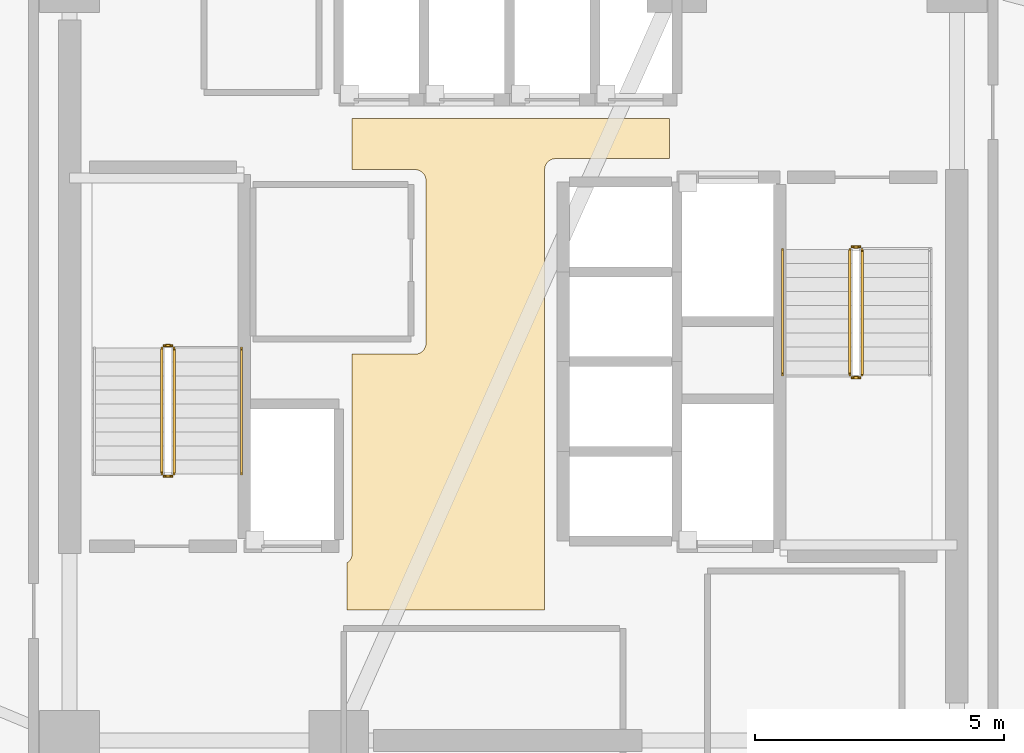
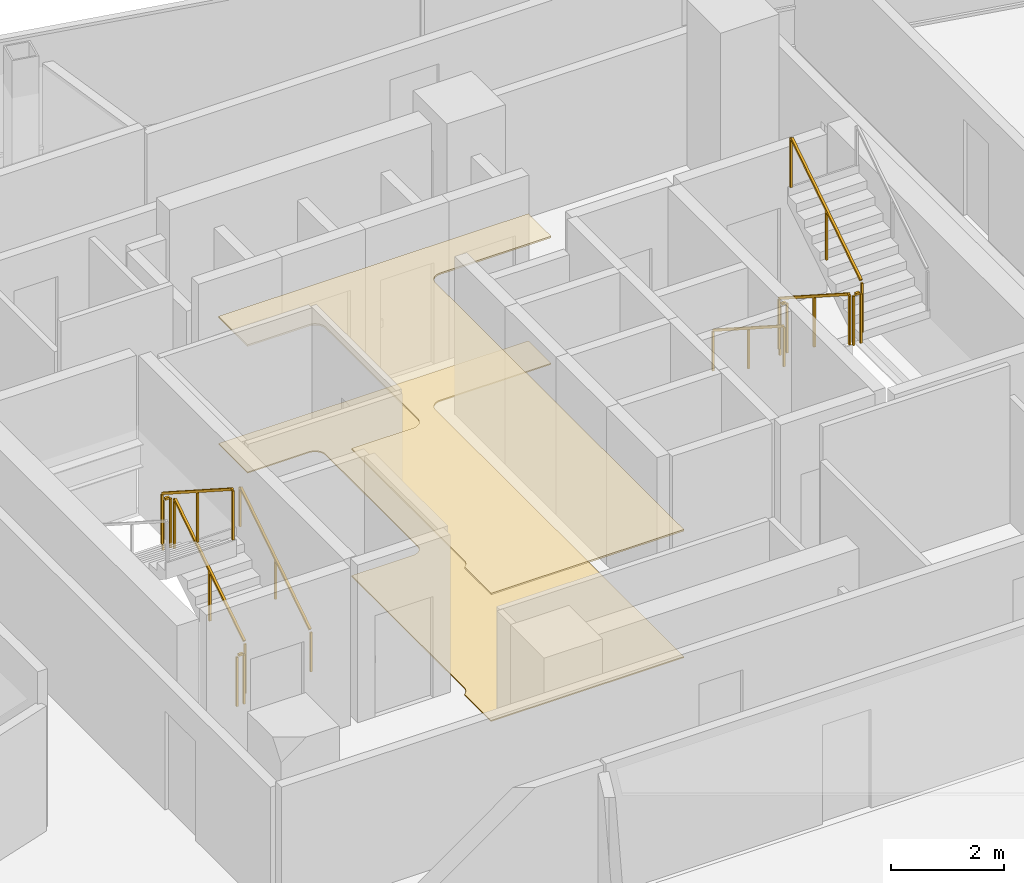
# One storey, part 16 of 17: 10 railings, 2 coverings.
"""IFC4 building model written with IfcOpenShell, lengths in metres."""

from ifc_helpers import new_model, si_unit, direction, frame, origin, origin_2d, place, context, subcontext, project, spatial, polyline, rectangle, outline, extrude, material, layer, layer_set, type_object, element, save


model = new_model("IFC4")

# Units and contexts
model_context = context("Model", 3, precision=1e-05, world=origin(), true_north=direction((0.0, 1.0)))
body_context = subcontext(model_context, "Body", "Model", "MODEL_VIEW")
ifc_project = project(units=[si_unit("LENGTHUNIT", "METRE"), si_unit("AREAUNIT", "SQUARE_METRE"), si_unit("VOLUMEUNIT", "CUBIC_METRE"), si_unit("PLANEANGLEUNIT", "RADIAN"), si_unit("MASSUNIT", "GRAM", prefix="KILO")], contexts=[model_context])

# Site, building, storey
site_placement = place(None, origin())
site = spatial("IfcSite", under=ifc_project, at=site_placement, CompositionType="ELEMENT")
building_placement = place(site_placement, origin())
building = spatial("IfcBuilding", under=site, at=building_placement, Name="Tharavind Bronze Gate", CompositionType="ELEMENT")
storey_placement = place(building_placement, frame((0.0, 0.0, 200.449951171875)))
storey = spatial("IfcBuildingStorey", under=building, at=storey_placement, Name="L51", CompositionType="ELEMENT", Elevation=200.449951171875)

# Coverings
ifc_material_1 = material(Name="Perforated Bronze Acoustic Panel", Category="bronze")
ifc_layer_1 = layer(ifc_material_1, 0.044921875)
ifc_layer_set_1 = layer_set([ifc_layer_1], Name="Perforated Bronze Acoustic Panel")
covering_type_1 = type_object("IfcCoveringType", Name="ACOUSTIC BRONZE BAFFLE CEILING", PredefinedType="CEILING", material=ifc_layer_set_1)
covering_1_placement = place(storey_placement, frame((0.0, 0.0, 2.75)))
element("IfcCovering", 1, at=covering_1_placement, inside=storey, type_object=covering_type_1, Name="L51-C-LL suspended ceiling", PredefinedType="CEILING", context=body_context, shape_type="SweptSolid", body=[
    extrude(outline(polyline([(-3.330078125, -4.97998046875), (0.6298828125, -4.97998046875), (0.6298828125, 3.85009765625), (0.631103515625, 3.87158203125), (0.63427734375, 3.892822265625), (0.639404296875, 3.913818359375), (0.646728515625, 3.93408203125), (0.656005859375, 3.95361328125), (0.6669921875, 3.97216796875), (0.679931640625, 3.989501953125), (0.6943359375, 4.005615234375), (0.71044921875, 4.02001953125), (0.727783203125, 4.032958984375), (0.746337890625, 4.0439453125), (0.765869140625, 4.05322265625), (0.7861328125, 4.060546875), (0.80712890625, 4.06591796875), (0.828369140625, 4.06884765625), (0.85009765625, 4.070068359375), (3.1298828125, 4.070068359375), (3.1298828125, 4.8798828125), (-3.22998046875, 4.8798828125), (-3.22998046875, 3.85009765625), (-1.969970703125, 3.85009765625), (-1.948486328125, 3.848876953125), (-1.927001953125, 3.845703125), (-1.906005859375, 3.840576171875), (-1.8857421875, 3.833251953125), (-1.8662109375, 3.823974609375), (-1.847900390625, 3.81298828125), (-1.830322265625, 3.800048828125), (-1.814453125, 3.78564453125), (-1.7998046875, 3.76953125), (-1.787109375, 3.752197265625), (-1.77587890625, 3.733642578125), (-1.7666015625, 3.714111328125), (-1.759521484375, 3.69384765625), (-1.754150390625, 3.6728515625), (-1.751220703125, 3.651611328125), (-1.75, 3.6298828125), (-1.75, 0.3701171875), (-1.751220703125, 0.348388671875), (-1.754150390625, 0.3271484375), (-1.759521484375, 0.30615234375), (-1.7666015625, 0.285888671875), (-1.77587890625, 0.266357421875), (-1.787109375, 0.247802734375), (-1.7998046875, 0.23046875), (-1.814453125, 0.21435546875), (-1.830322265625, 0.199951171875), (-1.847900390625, 0.18701171875), (-1.8662109375, 0.176025390625), (-1.8857421875, 0.166748046875), (-1.906005859375, 0.159423828125), (-1.927001953125, 0.154296875), (-1.948486328125, 0.151123046875), (-1.969970703125, 0.14990234375), (-3.22998046875, 0.14990234375), (-3.22998046875, -3.85009765625), (-3.231201171875, -3.87158203125), (-3.234130859375, -3.892822265625), (-3.239501953125, -3.913818359375), (-3.24658203125, -3.93408203125), (-3.256103515625, -3.95361328125), (-3.26708984375, -3.97216796875), (-3.27978515625, -3.989501953125), (-3.29443359375, -4.005615234375), (-3.310302734375, -4.02001953125), (-3.327880859375, -4.032958984375), (-3.330078125, -4.0341796875), (-3.330078125, -4.97998046875)])), origin(), (0.0, 0.0, 1.0), 0.03515625),
])
ifc_material_2 = material(Name="Honed Travertine Limestone", Category="masonry")
ifc_layer_2 = layer(ifc_material_2, 0.030029296875)
ifc_layer_set_2 = layer_set([ifc_layer_2], Name="Honed Travertine Limestone")
covering_type_2 = type_object("IfcCoveringType", Name="HONED LIMESTONE FLOORING", PredefinedType="FLOORING", material=ifc_layer_set_2)
covering_2_placement = place(storey_placement, origin())
element("IfcCovering", 2, at=covering_2_placement, inside=storey, type_object=covering_type_2, Name="L51-C-LL floor finish", PredefinedType="FLOORING", context=body_context, shape_type="SweptSolid", body=[
    extrude(outline(polyline([(-3.330078125, -4.97998046875), (0.6298828125, -4.97998046875), (0.6298828125, 3.85009765625), (0.631103515625, 3.87158203125), (0.63427734375, 3.892822265625), (0.639404296875, 3.913818359375), (0.646728515625, 3.93408203125), (0.656005859375, 3.95361328125), (0.6669921875, 3.97216796875), (0.679931640625, 3.989501953125), (0.6943359375, 4.005615234375), (0.71044921875, 4.02001953125), (0.727783203125, 4.032958984375), (0.746337890625, 4.0439453125), (0.765869140625, 4.05322265625), (0.7861328125, 4.060546875), (0.80712890625, 4.06591796875), (0.828369140625, 4.06884765625), (0.85009765625, 4.070068359375), (3.1298828125, 4.070068359375), (3.1298828125, 4.8798828125), (-3.22998046875, 4.8798828125), (-3.22998046875, 3.85009765625), (-1.969970703125, 3.85009765625), (-1.948486328125, 3.848876953125), (-1.927001953125, 3.845703125), (-1.906005859375, 3.840576171875), (-1.8857421875, 3.833251953125), (-1.8662109375, 3.823974609375), (-1.847900390625, 3.81298828125), (-1.830322265625, 3.800048828125), (-1.814453125, 3.78564453125), (-1.7998046875, 3.76953125), (-1.787109375, 3.752197265625), (-1.77587890625, 3.733642578125), (-1.7666015625, 3.714111328125), (-1.759521484375, 3.69384765625), (-1.754150390625, 3.6728515625), (-1.751220703125, 3.651611328125), (-1.75, 3.6298828125), (-1.75, 0.3701171875), (-1.751220703125, 0.348388671875), (-1.754150390625, 0.3271484375), (-1.759521484375, 0.30615234375), (-1.7666015625, 0.285888671875), (-1.77587890625, 0.266357421875), (-1.787109375, 0.247802734375), (-1.7998046875, 0.23046875), (-1.814453125, 0.21435546875), (-1.830322265625, 0.199951171875), (-1.847900390625, 0.18701171875), (-1.8662109375, 0.176025390625), (-1.8857421875, 0.166748046875), (-1.906005859375, 0.159423828125), (-1.927001953125, 0.154296875), (-1.948486328125, 0.151123046875), (-1.969970703125, 0.14990234375), (-3.22998046875, 0.14990234375), (-3.22998046875, -3.85009765625), (-3.231201171875, -3.87158203125), (-3.234130859375, -3.892822265625), (-3.239501953125, -3.913818359375), (-3.24658203125, -3.93408203125), (-3.256103515625, -3.95361328125), (-3.26708984375, -3.97216796875), (-3.27978515625, -3.989501953125), (-3.29443359375, -4.005615234375), (-3.310302734375, -4.02001953125), (-3.327880859375, -4.032958984375), (-3.330078125, -4.0341796875), (-3.330078125, -4.97998046875)])), origin(), (0.0, 0.0, 1.0), 0.025146484375),
])

# Railings
ifc_material_3 = material(Name="Brushed Bronze Alloy", Category="metal")
railing_type_1 = type_object("IfcRailingType", Name="STAIR BRONZE HANDRAIL 900", PredefinedType="HANDRAIL", material=ifc_material_3)
railing_1_placement = place(storey_placement, frame((-5.449951171875, -2.25, 0.179931640625)))
element("IfcRailing", 3, at=railing_1_placement, inside=storey, type_object=railing_type_1, Name="L51 ST1 stair handrail 1", PredefinedType="HANDRAIL", context=body_context, shape_type="SweptSolid", body=[
    extrude(rectangle(XDim=0.048095703125, YDim=0.048095703125, at=origin_2d()), frame((0.0, 0.02685546875, 0.89306640625), z_axis=(0.0, 0.841162588446, 0.540782303519), x_axis=(-1.0, 0.0, 0.0)), (0.0, 0.0, 1.0), 2.931884765625),
    extrude(rectangle(XDim=0.0400390625, YDim=0.0400390625, at=origin_2d()), origin(), (0.0, 0.0, 1.0), 0.847900390625),
    extrude(rectangle(XDim=0.0400390625, YDim=0.0400390625, at=origin_2d()), frame((0.0, 1.260009765625, 0.81005859375)), (0.0, 0.0, 1.0), 0.847900390625),
    extrude(rectangle(XDim=0.0400390625, YDim=0.0400390625, at=origin_2d()), frame((0.0, 2.52001953125, 1.6201171875)), (0.0, 0.0, 1.0), 0.847900390625),
])
railing_2_placement = place(storey_placement, frame((5.39990234375, 2.25, 0.179931640625)))
element("IfcRailing", 4, at=railing_2_placement, inside=storey, type_object=railing_type_1, Name="L51 ST2 stair handrail 1", PredefinedType="HANDRAIL", context=body_context, shape_type="SweptSolid", body=[
    extrude(rectangle(XDim=0.048095703125, YDim=0.048095703125, at=origin_2d()), frame((0.0, -0.02685546875, 0.89306640625), z_axis=(0.0, -0.841162588446, 0.540782303519), x_axis=(1.0, 0.0, 0.0)), (0.0, 0.0, 1.0), 2.931884765625),
    extrude(rectangle(XDim=0.0400390625, YDim=0.0400390625, at=origin_2d()), origin(), (0.0, 0.0, 1.0), 0.847900390625),
    extrude(rectangle(XDim=0.0400390625, YDim=0.0400390625, at=origin_2d()), frame((0.0, -1.260009765625, 0.81005859375)), (0.0, 0.0, 1.0), 0.847900390625),
    extrude(rectangle(XDim=0.0400390625, YDim=0.0400390625, at=origin_2d()), frame((0.0, -2.52001953125, 1.6201171875)), (0.0, 0.0, 1.0), 0.847900390625),
])
railing_type_2 = type_object("IfcRailingType", Name="STAIR WELL GUARD RAILING 1120", PredefinedType="GUARDRAIL", material=ifc_material_3)
railing_3_placement = place(storey_placement, frame((-6.800048828125, -2.25, 0.179931640625)))
element("IfcRailing", 5, at=railing_3_placement, inside=storey, type_object=railing_type_2, Name="L51 ST1 stair guard 1", PredefinedType="GUARDRAIL", context=body_context, shape_type="SweptSolid", body=[
    extrude(rectangle(XDim=0.048095703125, YDim=0.048095703125, at=origin_2d()), frame((0.0, 0.02685546875, 1.11328125), z_axis=(0.0, 0.841162588446, 0.540782303519), x_axis=(-1.0, 0.0, 0.0)), (0.0, 0.0, 1.0), 2.931884765625),
    extrude(rectangle(XDim=0.0400390625, YDim=0.0400390625, at=origin_2d()), origin(), (0.0, 0.0, 1.0), 1.068115234375),
    extrude(rectangle(XDim=0.0400390625, YDim=0.0400390625, at=origin_2d()), frame((0.0, 1.260009765625, 0.81005859375)), (0.0, 0.0, 1.0), 1.068115234375),
    extrude(rectangle(XDim=0.0400390625, YDim=0.0400390625, at=origin_2d()), frame((0.0, 2.52001953125, 1.6201171875)), (0.0, 0.0, 1.0), 1.068115234375),
])
railing_4_placement = place(storey_placement, frame((-6.85009765625, 0.320068359375, 1.800048828125)))
element("IfcRailing", 6, at=railing_4_placement, inside=storey, type_object=railing_type_2, Name="L51 ST1 stair guard 2", PredefinedType="GUARDRAIL", context=body_context, shape_type="SweptSolid", body=[
    extrude(rectangle(XDim=0.048095703125, YDim=0.048095703125, at=origin_2d()), frame((-0.031982421875, 0.0, 1.09619140625), z_axis=(-1.0, 0.0, 0.0), x_axis=(0.0, -1.0, 0.0)), (0.0, 0.0, 1.0), 0.0859375),
    extrude(rectangle(XDim=0.0400390625, YDim=0.0400390625, at=origin_2d()), origin(), (0.0, 0.0, 1.0), 1.068115234375),
    extrude(rectangle(XDim=0.0400390625, YDim=0.0400390625, at=origin_2d()), frame((-0.14990234375, 0.0, 0.0)), (0.0, 0.0, 1.0), 1.068115234375),
])
railing_5_placement = place(storey_placement, frame((-7.050048828125, 0.27001953125, 1.97998046875)))
element("IfcRailing", 7, at=railing_5_placement, inside=storey, type_object=railing_type_2, Name="L51 ST1 stair guard 3", PredefinedType="GUARDRAIL", context=body_context, shape_type="SweptSolid", body=[
    extrude(rectangle(XDim=0.048095703125, YDim=0.048095703125, at=origin_2d()), frame((0.0, -0.02685546875, 1.11328125), z_axis=(0.0, -0.841162588446, 0.540782303519), x_axis=(1.0, 0.0, 0.0)), (0.0, 0.0, 1.0), 2.931884765625),
    extrude(rectangle(XDim=0.0400390625, YDim=0.0400390625, at=origin_2d()), origin(), (0.0, 0.0, 1.0), 1.068115234375),
    extrude(rectangle(XDim=0.0400390625, YDim=0.0400390625, at=origin_2d()), frame((0.0, -1.260009765625, 0.81005859375)), (0.0, 0.0, 1.0), 1.068115234375),
    extrude(rectangle(XDim=0.0400390625, YDim=0.0400390625, at=origin_2d()), frame((0.0, -2.52001953125, 1.6201171875)), (0.0, 0.0, 1.0), 1.068115234375),
])
railing_6_placement = place(storey_placement, frame((-6.85009765625, -2.300048828125, 0.0)))
element("IfcRailing", 8, at=railing_6_placement, inside=storey, type_object=railing_type_2, Name="L51 ST1 stair guard 4", PredefinedType="GUARDRAIL", context=body_context, shape_type="SweptSolid", body=[
    extrude(rectangle(XDim=0.048095703125, YDim=0.048095703125, at=origin_2d()), frame((-0.031982421875, 0.0, 1.09619140625), z_axis=(-1.0, 0.0, 0.0), x_axis=(0.0, -1.0, 0.0)), (0.0, 0.0, 1.0), 0.0859375),
    extrude(rectangle(XDim=0.0400390625, YDim=0.0400390625, at=origin_2d()), origin(), (0.0, 0.0, 1.0), 1.068115234375),
    extrude(rectangle(XDim=0.0400390625, YDim=0.0400390625, at=origin_2d()), frame((-0.14990234375, 0.0, 0.0)), (0.0, 0.0, 1.0), 1.068115234375),
])
railing_7_placement = place(storey_placement, frame((6.75, 2.25, 0.179931640625)))
element("IfcRailing", 9, at=railing_7_placement, inside=storey, type_object=railing_type_2, Name="L51 ST2 stair guard 1", PredefinedType="GUARDRAIL", context=body_context, shape_type="SweptSolid", body=[
    extrude(rectangle(XDim=0.048095703125, YDim=0.048095703125, at=origin_2d()), frame((0.0, -0.02685546875, 1.11328125), z_axis=(0.0, -0.841162588446, 0.540782303519), x_axis=(1.0, 0.0, 0.0)), (0.0, 0.0, 1.0), 2.931884765625),
    extrude(rectangle(XDim=0.0400390625, YDim=0.0400390625, at=origin_2d()), origin(), (0.0, 0.0, 1.0), 1.068115234375),
    extrude(rectangle(XDim=0.0400390625, YDim=0.0400390625, at=origin_2d()), frame((0.0, -1.260009765625, 0.81005859375)), (0.0, 0.0, 1.0), 1.068115234375),
    extrude(rectangle(XDim=0.0400390625, YDim=0.0400390625, at=origin_2d()), frame((0.0, -2.52001953125, 1.6201171875)), (0.0, 0.0, 1.0), 1.068115234375),
])
railing_8_placement = place(storey_placement, frame((6.800048828125, -0.320068359375, 1.800048828125)))
element("IfcRailing", 10, at=railing_8_placement, inside=storey, type_object=railing_type_2, Name="L51 ST2 stair guard 2", PredefinedType="GUARDRAIL", context=body_context, shape_type="SweptSolid", body=[
    extrude(rectangle(XDim=0.048095703125, YDim=0.048095703125, at=origin_2d()), frame((0.031982421875, 0.0, 1.09619140625), z_axis=(1.0, 0.0, 0.0), x_axis=(0.0, 1.0, 0.0)), (0.0, 0.0, 1.0), 0.0859375),
    extrude(rectangle(XDim=0.0400390625, YDim=0.0400390625, at=origin_2d()), origin(), (0.0, 0.0, 1.0), 1.068115234375),
    extrude(rectangle(XDim=0.0400390625, YDim=0.0400390625, at=origin_2d()), frame((0.14990234375, 0.0, 0.0)), (0.0, 0.0, 1.0), 1.068115234375),
])
railing_9_placement = place(storey_placement, frame((7.0, -0.27001953125, 1.97998046875)))
element("IfcRailing", 11, at=railing_9_placement, inside=storey, type_object=railing_type_2, Name="L51 ST2 stair guard 3", PredefinedType="GUARDRAIL", context=body_context, shape_type="SweptSolid", body=[
    extrude(rectangle(XDim=0.048095703125, YDim=0.048095703125, at=origin_2d()), frame((0.0, 0.02685546875, 1.11328125), z_axis=(0.0, 0.841162588446, 0.540782303519), x_axis=(-1.0, 0.0, 0.0)), (0.0, 0.0, 1.0), 2.931884765625),
    extrude(rectangle(XDim=0.0400390625, YDim=0.0400390625, at=origin_2d()), origin(), (0.0, 0.0, 1.0), 1.068115234375),
    extrude(rectangle(XDim=0.0400390625, YDim=0.0400390625, at=origin_2d()), frame((0.0, 1.260009765625, 0.81005859375)), (0.0, 0.0, 1.0), 1.068115234375),
    extrude(rectangle(XDim=0.0400390625, YDim=0.0400390625, at=origin_2d()), frame((0.0, 2.52001953125, 1.6201171875)), (0.0, 0.0, 1.0), 1.068115234375),
])
railing_10_placement = place(storey_placement, frame((6.800048828125, 2.300048828125, 0.0)))
element("IfcRailing", 12, at=railing_10_placement, inside=storey, type_object=railing_type_2, Name="L51 ST2 stair guard 4", PredefinedType="GUARDRAIL", context=body_context, shape_type="SweptSolid", body=[
    extrude(rectangle(XDim=0.048095703125, YDim=0.048095703125, at=origin_2d()), frame((0.031982421875, 0.0, 1.09619140625), z_axis=(1.0, 0.0, 0.0), x_axis=(0.0, 1.0, 0.0)), (0.0, 0.0, 1.0), 0.0859375),
    extrude(rectangle(XDim=0.0400390625, YDim=0.0400390625, at=origin_2d()), origin(), (0.0, 0.0, 1.0), 1.068115234375),
    extrude(rectangle(XDim=0.0400390625, YDim=0.0400390625, at=origin_2d()), frame((0.14990234375, 0.0, 0.0)), (0.0, 0.0, 1.0), 1.068115234375),
])

save(model, "model.ifc")
